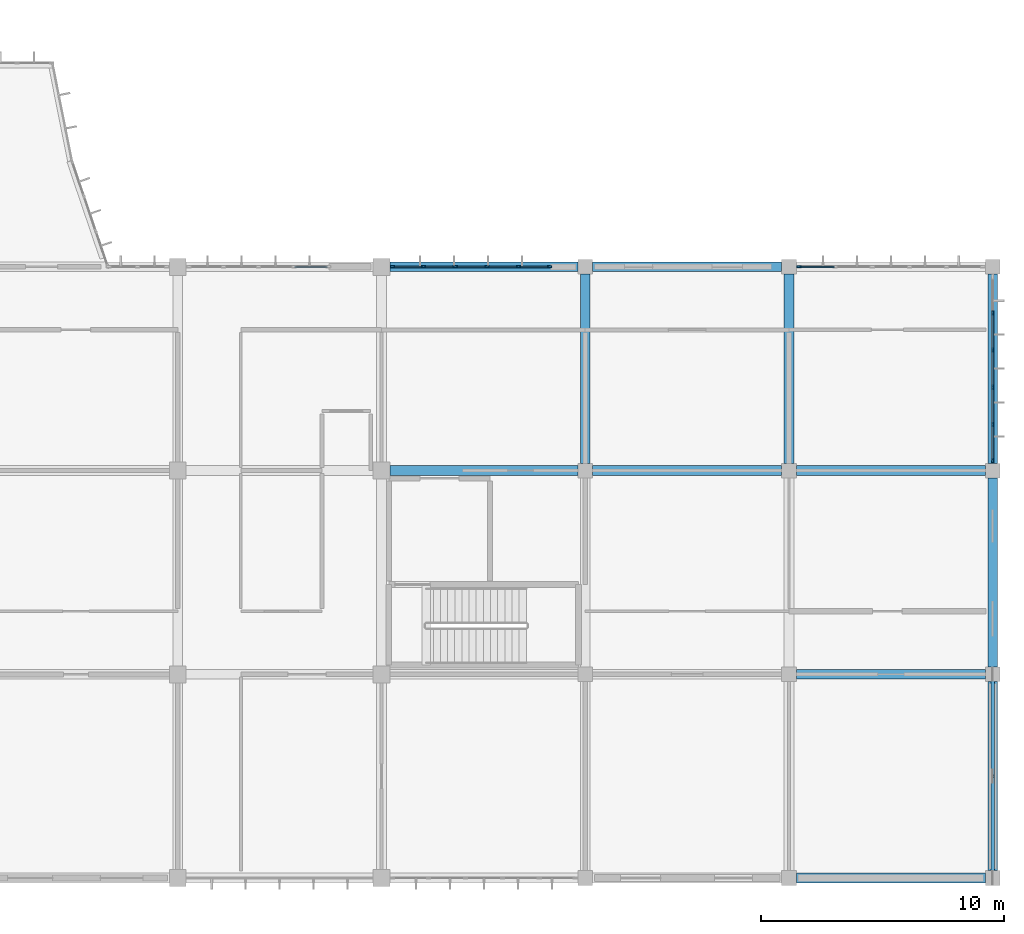
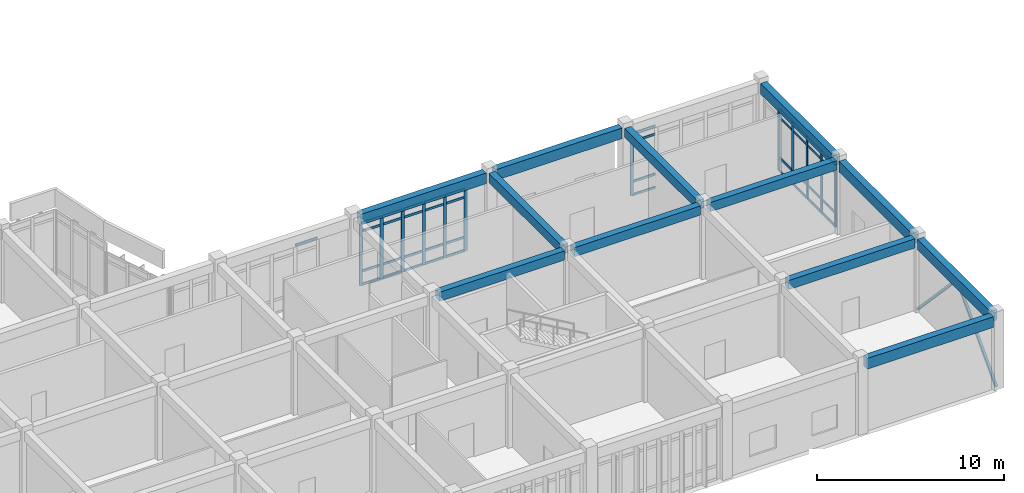
# One storey, part 57 of 134: 55 members, 12 beams, 4 elements without a shape of their own.
"""IFC4 building model written with IfcOpenShell, lengths in metres."""

from ifc_helpers import new_model, si_unit, direction, frame, origin, origin_2d, place, context, subcontext, project, spatial, rectangle, hollow_rectangle, extrude, material, layer, layer_set, material_profile, profile_set, type_object, element, aggregate, save


model = new_model("IFC4")

# Units and contexts
model_context = context("Model", 3, precision=1e-05, world=origin(), true_north=direction((0.0, 1.0)))
body_context = subcontext(model_context, "Body", "Model", "MODEL_VIEW")
ifc_project = project(units=[si_unit("LENGTHUNIT", "METRE"), si_unit("AREAUNIT", "SQUARE_METRE"), si_unit("VOLUMEUNIT", "CUBIC_METRE"), si_unit("PLANEANGLEUNIT", "RADIAN"), si_unit("MASSUNIT", "GRAM", prefix="KILO")], contexts=[model_context])

# Site, building, storey
site_placement = place(None, origin())
site = spatial("IfcSite", under=ifc_project, at=site_placement, CompositionType="ELEMENT")
building_placement = place(site_placement, origin())
building = spatial("IfcBuilding", under=site, at=building_placement, Name="Bramfleet General Hospital", CompositionType="ELEMENT")
storey_placement = place(building_placement, frame((0.0, 0.0, 9.300048828125)))
storey = spatial("IfcBuildingStorey", under=building, at=storey_placement, Name="L02", CompositionType="ELEMENT", Elevation=9.300048828125)

# Beams
ifc_material_1 = material(Name="Concrete C35/45", Category="concrete")
ifc_material_profile_1 = material_profile(ifc_material_1, rectangle(XDim=0.39990234375, YDim=0.60009765625, at=origin_2d()), Name="RC BM 600x400")
ifc_profile_set_1 = profile_set([ifc_material_profile_1], Name="Concrete C35/45")
beam_type_1 = type_object("IfcBeamType", Name="BM-RC600", PredefinedType="BEAM", material=ifc_profile_set_1)
beam_1_placement = place(storey_placement, frame((143.14990234375, 16.800048828125, 4.47998046875), z_axis=(1.0, 0.0, 0.0), x_axis=(0.0, 1.0, 0.0)))
element("IfcBeam", 1, at=beam_1_placement, inside=storey, type_object=beam_type_1, Name="L02 Grid Beam X 17-02", PredefinedType="BEAM", context=body_context, shape_type="SweptSolid", body=[
    extrude(rectangle(XDim=0.39990234375, YDim=0.60009765625, at=origin_2d()), origin(), (0.0, 0.0, 1.0), 7.75),
])
for number, where, z_axis, x_axis, name in (
    (2, (151.5, 16.800048828125, 4.47998046875), (1.0, 0.0, 0.0), (0.0, 1.0, 0.0), "L02 Grid Beam X 18-02"),
    (3, (159.89990234375, 8.39990234375, 4.47998046875), (1.0, 0.0, 0.0), (0.0, 1.0, 0.0), "L02 Grid Beam X 19-01"),
    (4, (159.89990234375, 16.800048828125, 4.47998046875), (1.0, 0.0, 0.0), (0.0, 1.0, 0.0), "L02 Grid Beam X 19-02"),
):
    element("IfcBeam", number, at=place(storey_placement, frame(where, z_axis=z_axis, x_axis=x_axis)), inside=storey, type_object=beam_type_1, Name=name, PredefinedType="BEAM", context=body_context, shape_type="SweptSolid", body=[
        extrude(rectangle(XDim=0.39990234375, YDim=0.60009765625, at=origin_2d()), origin(), (0.0, 0.0, 1.0), 7.800048828125),
    ])
for number, where, z_axis, x_axis, name in (
    (5, (151.199951171875, 17.10009765625, 4.47998046875), (0.0, 1.0, 0.0), (-1.0, 0.0, 0.0), "L02 Grid Beam Y 18-02"),
    (6, (159.60009765625, 17.10009765625, 4.47998046875), (0.0, 1.0, 0.0), (-1.0, 0.0, 0.0), "L02 Grid Beam Y 19-02"),
):
    element("IfcBeam", number, at=place(storey_placement, frame(where, z_axis=z_axis, x_axis=x_axis)), inside=storey, type_object=beam_type_1, Name=name, PredefinedType="BEAM", context=body_context, shape_type="SweptSolid", body=[
        extrude(rectangle(XDim=0.39990234375, YDim=0.60009765625, at=origin_2d()), origin(), (0.0, 0.0, 1.0), 7.7998046875),
    ])
ifc_material_profile_2 = material_profile(ifc_material_1, rectangle(XDim=0.39990234375, YDim=0.699951171875, at=origin_2d()), Name="RC SP 700x400")
ifc_profile_set_2 = profile_set([ifc_material_profile_2], Name="Concrete C35/45")
beam_type_2 = type_object("IfcBeamType", Name="BM-SP700", PredefinedType="SPANDREL", material=ifc_profile_set_2)
beam_2_placement = place(storey_placement, frame((143.14990234375, 25.199951171875, 4.429931640625), z_axis=(1.0, 0.0, 0.0), x_axis=(0.0, 1.0, 0.0)))
element("IfcBeam", 7, at=beam_2_placement, inside=storey, type_object=beam_type_2, Name="L02 Grid Beam X 17-03", PredefinedType="SPANDREL", context=body_context, shape_type="SweptSolid", body=[
    extrude(rectangle(XDim=0.39990234375, YDim=0.699951171875, at=origin_2d()), origin(), (0.0, 0.0, 1.0), 7.75),
])
for number, where, z_axis, x_axis, name in (
    (8, (151.5, 25.199951171875, 4.429931640625), (1.0, 0.0, 0.0), (0.0, 1.0, 0.0), "L02 Grid Beam X 18-03"),
    (9, (159.89990234375, 0.0, 4.429931640625), (1.0, 0.0, 0.0), (0.0, 1.0, 0.0), "L02 Grid Beam X 19-00"),
    (10, (168.0, 0.300048828125, 4.429931640625), (0.0, 1.0, 0.0), (-1.0, 0.0, 0.0), "L02 Grid Beam Y 20-00"),
    (11, (168.0, 8.699951171875, 4.429931640625), (0.0, 1.0, 0.0), (-1.0, 0.0, 0.0), "L02 Grid Beam Y 20-01"),
):
    element("IfcBeam", number, at=place(storey_placement, frame(where, z_axis=z_axis, x_axis=x_axis)), inside=storey, type_object=beam_type_2, Name=name, PredefinedType="SPANDREL", context=body_context, shape_type="SweptSolid", body=[
        extrude(rectangle(XDim=0.39990234375, YDim=0.699951171875, at=origin_2d()), origin(), (0.0, 0.0, 1.0), 7.800048828125),
    ])
beam_3_placement = place(storey_placement, frame((168.0, 17.10009765625, 4.429931640625), z_axis=(0.0, 1.0, 0.0), x_axis=(-1.0, 0.0, 0.0)))
element("IfcBeam", 12, at=beam_3_placement, inside=storey, type_object=beam_type_2, Name="L02 Grid Beam Y 20-02", PredefinedType="SPANDREL", context=body_context, shape_type="SweptSolid", body=[
    extrude(rectangle(XDim=0.39990234375, YDim=0.699951171875, at=origin_2d()), origin(), (0.0, 0.0, 1.0), 7.7998046875),
])

# Curtain wall, members
ifc_material_2 = material(Name="Anodised aluminium and low-E triple glazing", Category="aluminium")
ifc_layer_1 = layer(ifc_material_2, 0.179931640625, Name="CWT-CW-12")
ifc_layer_set_1 = layer_set([ifc_layer_1], Name="Anodised aluminium and low-E triple glazing")
curtain_wall_type_1 = type_object("IfcCurtainWallType", Name="CWT-CW-12", PredefinedType="USERDEFINED", material=ifc_layer_set_1)
curtain_wall_1_placement = place(storey_placement, origin())
curtain_wall_1 = element("IfcCurtainWall", 13, at=curtain_wall_1_placement, inside=storey, type_object=curtain_wall_type_1, Name="L02 Curtain Wall 120", ObjectType="Stick curtain wall", PredefinedType="USERDEFINED")
ifc_material_3 = material(Name="Structural timber GL28h", Category="wood")
ifc_material_profile_3 = material_profile(ifc_material_3, rectangle(XDim=0.070068359375, YDim=0.18994140625, at=origin_2d()), Name="LARCH 190x70")
ifc_profile_set_3 = profile_set([ifc_material_profile_3], Name="Structural timber GL28h")
member_type_1 = type_object("IfcMemberType", Name="CWM-LARCH450", PredefinedType="MULLION", material=ifc_profile_set_3)
member_1_placement = place(storey_placement, frame((143.260009765625, 25.199951171875, 0.0), z_axis=(0.0, 0.0, 1.0), x_axis=(0.0, 1.0, 0.0)))
member_1 = element("IfcMember", 14, at=member_1_placement, type_object=member_type_1, Name="CW-12 mullion 1", PredefinedType="MULLION", context=body_context, shape_type="SweptSolid", body=[
    extrude(rectangle(XDim=0.070068359375, YDim=0.18994140625, at=origin_2d()), origin(), (0.0, 0.0, 1.0), 4.070068359375),
])
member_2_placement = place(storey_placement, frame((144.5322265625, 25.199951171875, 0.0), z_axis=(0.0, 0.0, 1.0), x_axis=(0.0, 1.0, 0.0)))
member_2 = element("IfcMember", 15, at=member_2_placement, type_object=member_type_1, Name="CW-12 mullion 2", PredefinedType="MULLION", context=body_context, shape_type="SweptSolid", body=[
    extrude(rectangle(XDim=0.070068359375, YDim=0.18994140625, at=origin_2d()), origin(), (0.0, 0.0, 1.0), 4.070068359375),
])
member_3_placement = place(storey_placement, frame((145.83935546875, 25.199951171875, 0.0), z_axis=(0.0, 0.0, 1.0), x_axis=(0.0, 1.0, 0.0)))
member_3 = element("IfcMember", 16, at=member_3_placement, type_object=member_type_1, Name="CW-12 mullion 3", PredefinedType="MULLION", context=body_context, shape_type="SweptSolid", body=[
    extrude(rectangle(XDim=0.070068359375, YDim=0.18994140625, at=origin_2d()), origin(), (0.0, 0.0, 1.0), 4.070068359375),
])
member_4_placement = place(storey_placement, frame((147.146484375, 25.199951171875, 0.0), z_axis=(0.0, 0.0, 1.0), x_axis=(0.0, 1.0, 0.0)))
member_4 = element("IfcMember", 17, at=member_4_placement, type_object=member_type_1, Name="CW-12 mullion 4", PredefinedType="MULLION", context=body_context, shape_type="SweptSolid", body=[
    extrude(rectangle(XDim=0.070068359375, YDim=0.18994140625, at=origin_2d()), origin(), (0.0, 0.0, 1.0), 4.070068359375),
])
member_5_placement = place(storey_placement, frame((148.453857421875, 25.199951171875, 0.0), z_axis=(0.0, 0.0, 1.0), x_axis=(0.0, 1.0, 0.0)))
member_5 = element("IfcMember", 18, at=member_5_placement, type_object=member_type_1, Name="CW-12 mullion 5", PredefinedType="MULLION", context=body_context, shape_type="SweptSolid", body=[
    extrude(rectangle(XDim=0.070068359375, YDim=0.18994140625, at=origin_2d()), origin(), (0.0, 0.0, 1.0), 4.070068359375),
])
member_6_placement = place(storey_placement, frame((149.72607421875, 25.199951171875, 0.0), z_axis=(0.0, 0.0, 1.0), x_axis=(0.0, 1.0, 0.0)))
member_6 = element("IfcMember", 19, at=member_6_placement, type_object=member_type_1, Name="CW-12 mullion 6", PredefinedType="MULLION", context=body_context, shape_type="SweptSolid", body=[
    extrude(rectangle(XDim=0.070068359375, YDim=0.18994140625, at=origin_2d()), origin(), (0.0, 0.0, 1.0), 4.070068359375),
])

# Curtain wall, member
ifc_layer_2 = layer(ifc_material_2, 0.179931640625, Name="CWT-CW-13")
ifc_layer_set_2 = layer_set([ifc_layer_2], Name="Anodised aluminium and low-E triple glazing")
curtain_wall_type_2 = type_object("IfcCurtainWallType", Name="CWT-CW-13", PredefinedType="USERDEFINED", material=ifc_layer_set_2)
curtain_wall_2_placement = place(storey_placement, origin())
curtain_wall_2 = element("IfcCurtainWall", 20, at=curtain_wall_2_placement, inside=storey, type_object=curtain_wall_type_2, Name="L02 Curtain Wall 121", ObjectType="Stick curtain wall", PredefinedType="USERDEFINED")
member_7_placement = place(storey_placement, frame((160.010009765625, 25.199951171875, 0.0), z_axis=(0.0, 0.0, 1.0), x_axis=(0.0, 1.0, 0.0)))
member_7 = element("IfcMember", 21, at=member_7_placement, type_object=member_type_1, Name="CW-13 mullion 1", PredefinedType="MULLION", context=body_context, shape_type="SweptSolid", body=[
    extrude(rectangle(XDim=0.070068359375, YDim=0.18994140625, at=origin_2d()), origin(), (0.0, 0.0, 1.0), 4.070068359375),
])

# Curtain wall, members
ifc_layer_3 = layer(ifc_material_2, 0.179931640625, Name="CWT-CW-14")
ifc_layer_set_3 = layer_set([ifc_layer_3], Name="Anodised aluminium and low-E triple glazing")
curtain_wall_type_3 = type_object("IfcCurtainWallType", Name="CWT-CW-14", PredefinedType="USERDEFINED", material=ifc_layer_set_3)
curtain_wall_3_placement = place(storey_placement, origin())
curtain_wall_3 = element("IfcCurtainWall", 22, at=curtain_wall_3_placement, inside=storey, type_object=curtain_wall_type_3, Name="L02 Curtain Wall 122", ObjectType="Stick curtain wall", PredefinedType="USERDEFINED")
member_8_placement = place(storey_placement, frame((168.0, 23.294921875, 0.0), z_axis=(0.0, 0.0, 1.0), x_axis=(1.0, 0.0, 0.0)))
member_8 = element("IfcMember", 23, at=member_8_placement, type_object=member_type_1, Name="CW-14 mullion 2", PredefinedType="MULLION", context=body_context, shape_type="SweptSolid", body=[
    extrude(rectangle(XDim=0.070068359375, YDim=0.18994140625, at=origin_2d()), origin(), (0.0, 0.0, 1.0), 4.070068359375),
])
member_9_placement = place(storey_placement, frame((168.0, 21.764892578125, 0.0), z_axis=(0.0, 0.0, 1.0), x_axis=(1.0, 0.0, 0.0)))
member_9 = element("IfcMember", 24, at=member_9_placement, type_object=member_type_1, Name="CW-14 mullion 3", PredefinedType="MULLION", context=body_context, shape_type="SweptSolid", body=[
    extrude(rectangle(XDim=0.070068359375, YDim=0.18994140625, at=origin_2d()), origin(), (0.0, 0.0, 1.0), 4.070068359375),
])
member_10_placement = place(storey_placement, frame((168.0, 20.235107421875, 0.0), z_axis=(0.0, 0.0, 1.0), x_axis=(1.0, 0.0, 0.0)))
member_10 = element("IfcMember", 25, at=member_10_placement, type_object=member_type_1, Name="CW-14 mullion 4", PredefinedType="MULLION", context=body_context, shape_type="SweptSolid", body=[
    extrude(rectangle(XDim=0.070068359375, YDim=0.18994140625, at=origin_2d()), origin(), (0.0, 0.0, 1.0), 4.070068359375),
])
member_11_placement = place(storey_placement, frame((168.0, 18.705078125, 0.0), z_axis=(0.0, 0.0, 1.0), x_axis=(1.0, 0.0, 0.0)))
member_11 = element("IfcMember", 26, at=member_11_placement, type_object=member_type_1, Name="CW-14 mullion 5", PredefinedType="MULLION", context=body_context, shape_type="SweptSolid", body=[
    extrude(rectangle(XDim=0.070068359375, YDim=0.18994140625, at=origin_2d()), origin(), (0.0, 0.0, 1.0), 4.070068359375),
])
member_12_placement = place(storey_placement, frame((168.0, 17.2099609375, 0.0), z_axis=(0.0, 0.0, 1.0), x_axis=(1.0, 0.0, 0.0)))
member_12 = element("IfcMember", 27, at=member_12_placement, type_object=member_type_1, Name="CW-14 mullion 6", PredefinedType="MULLION", context=body_context, shape_type="SweptSolid", body=[
    extrude(rectangle(XDim=0.070068359375, YDim=0.18994140625, at=origin_2d()), origin(), (0.0, 0.0, 1.0), 4.070068359375),
])

# Curtain wall, member
ifc_layer_4 = layer(ifc_material_2, 0.179931640625, Name="CWT-CW-11")
ifc_layer_set_4 = layer_set([ifc_layer_4], Name="Anodised aluminium and low-E triple glazing")
curtain_wall_type_4 = type_object("IfcCurtainWallType", Name="CWT-CW-11", PredefinedType="USERDEFINED", material=ifc_layer_set_4)
curtain_wall_4_placement = place(storey_placement, origin())
curtain_wall_4 = element("IfcCurtainWall", 28, at=curtain_wall_4_placement, inside=storey, type_object=curtain_wall_type_4, Name="L02 Curtain Wall 119", ObjectType="Stick curtain wall", PredefinedType="USERDEFINED")
ifc_material_profile_4 = material_profile(ifc_material_3, rectangle(XDim=0.06494140625, YDim=0.14990234375, at=origin_2d()), Name="LARCH 150x65")
ifc_profile_set_4 = profile_set([ifc_material_profile_4], Name="Structural timber GL28h")
member_type_2 = type_object("IfcMemberType", Name="CWT-LARCH220", PredefinedType="USERDEFINED", material=ifc_profile_set_4)
member_13_placement = place(storey_placement, frame((139.221923828125, 25.199951171875, 4.037353515625), z_axis=(1.0, 0.0, 0.0), x_axis=(0.0, 1.0, 0.0)))
member_13 = element("IfcMember", 29, at=member_13_placement, type_object=member_type_2, Name="CW-11 transom 4.4", ObjectType="TRANSOM", PredefinedType="USERDEFINED", context=body_context, shape_type="SweptSolid", body=[
    extrude(rectangle(XDim=0.06494140625, YDim=0.14990234375, at=origin_2d()), origin(), (0.0, 0.0, 1.0), 1.34912109375),
])
aggregate(curtain_wall_4, [member_13])

# Member
member_14_placement = place(storey_placement, frame((143.294921875, 25.199951171875, 0.032470703125), z_axis=(1.0, 0.0, 0.0), x_axis=(0.0, 1.0, 0.0)))
member_14 = element("IfcMember", 30, at=member_14_placement, type_object=member_type_2, Name="CW-12 transom 1.1", ObjectType="TRANSOM", PredefinedType="USERDEFINED", context=body_context, shape_type="SweptSolid", body=[
    extrude(rectangle(XDim=0.06494140625, YDim=0.14990234375, at=origin_2d()), origin(), (0.0, 0.0, 1.0), 1.202392578125),
])

member_15_placement = place(storey_placement, frame((143.294921875, 25.199951171875, 0.89990234375), z_axis=(1.0, 0.0, 0.0), x_axis=(0.0, 1.0, 0.0)))
member_15 = element("IfcMember", 31, at=member_15_placement, type_object=member_type_2, Name="CW-12 transom 1.2", ObjectType="TRANSOM", PredefinedType="USERDEFINED", context=body_context, shape_type="SweptSolid", body=[
    extrude(rectangle(XDim=0.06494140625, YDim=0.14990234375, at=origin_2d()), origin(), (0.0, 0.0, 1.0), 1.202392578125),
])

member_16_placement = place(storey_placement, frame((143.294921875, 25.199951171875, 3.52001953125), z_axis=(1.0, 0.0, 0.0), x_axis=(0.0, 1.0, 0.0)))
member_16 = element("IfcMember", 32, at=member_16_placement, type_object=member_type_2, Name="CW-12 transom 1.3", ObjectType="TRANSOM", PredefinedType="USERDEFINED", context=body_context, shape_type="SweptSolid", body=[
    extrude(rectangle(XDim=0.06494140625, YDim=0.14990234375, at=origin_2d()), origin(), (0.0, 0.0, 1.0), 1.202392578125),
])

member_17_placement = place(storey_placement, frame((143.294921875, 25.199951171875, 4.037353515625), z_axis=(1.0, 0.0, 0.0), x_axis=(0.0, 1.0, 0.0)))
member_17 = element("IfcMember", 33, at=member_17_placement, type_object=member_type_2, Name="CW-12 transom 1.4", ObjectType="TRANSOM", PredefinedType="USERDEFINED", context=body_context, shape_type="SweptSolid", body=[
    extrude(rectangle(XDim=0.06494140625, YDim=0.14990234375, at=origin_2d()), origin(), (0.0, 0.0, 1.0), 1.202392578125),
])

member_18_placement = place(storey_placement, frame((144.567138671875, 25.199951171875, 0.032470703125), z_axis=(1.0, 0.0, 0.0), x_axis=(0.0, 1.0, 0.0)))
member_18 = element("IfcMember", 34, at=member_18_placement, type_object=member_type_2, Name="CW-12 transom 2.1", ObjectType="TRANSOM", PredefinedType="USERDEFINED", context=body_context, shape_type="SweptSolid", body=[
    extrude(rectangle(XDim=0.06494140625, YDim=0.14990234375, at=origin_2d()), origin(), (0.0, 0.0, 1.0), 1.2373046875),
])

member_19_placement = place(storey_placement, frame((144.567138671875, 25.199951171875, 0.89990234375), z_axis=(1.0, 0.0, 0.0), x_axis=(0.0, 1.0, 0.0)))
member_19 = element("IfcMember", 35, at=member_19_placement, type_object=member_type_2, Name="CW-12 transom 2.2", ObjectType="TRANSOM", PredefinedType="USERDEFINED", context=body_context, shape_type="SweptSolid", body=[
    extrude(rectangle(XDim=0.06494140625, YDim=0.14990234375, at=origin_2d()), origin(), (0.0, 0.0, 1.0), 1.2373046875),
])

member_20_placement = place(storey_placement, frame((144.567138671875, 25.199951171875, 3.52001953125), z_axis=(1.0, 0.0, 0.0), x_axis=(0.0, 1.0, 0.0)))
member_20 = element("IfcMember", 36, at=member_20_placement, type_object=member_type_2, Name="CW-12 transom 2.3", ObjectType="TRANSOM", PredefinedType="USERDEFINED", context=body_context, shape_type="SweptSolid", body=[
    extrude(rectangle(XDim=0.06494140625, YDim=0.14990234375, at=origin_2d()), origin(), (0.0, 0.0, 1.0), 1.2373046875),
])

member_21_placement = place(storey_placement, frame((144.567138671875, 25.199951171875, 4.037353515625), z_axis=(1.0, 0.0, 0.0), x_axis=(0.0, 1.0, 0.0)))
member_21 = element("IfcMember", 37, at=member_21_placement, type_object=member_type_2, Name="CW-12 transom 2.4", ObjectType="TRANSOM", PredefinedType="USERDEFINED", context=body_context, shape_type="SweptSolid", body=[
    extrude(rectangle(XDim=0.06494140625, YDim=0.14990234375, at=origin_2d()), origin(), (0.0, 0.0, 1.0), 1.2373046875),
])

member_22_placement = place(storey_placement, frame((145.87451171875, 25.199951171875, 0.032470703125), z_axis=(1.0, 0.0, 0.0), x_axis=(0.0, 1.0, 0.0)))
member_22 = element("IfcMember", 38, at=member_22_placement, type_object=member_type_2, Name="CW-12 transom 3.1", ObjectType="TRANSOM", PredefinedType="USERDEFINED", context=body_context, shape_type="SweptSolid", body=[
    extrude(rectangle(XDim=0.06494140625, YDim=0.14990234375, at=origin_2d()), origin(), (0.0, 0.0, 1.0), 1.237060546875),
])

member_23_placement = place(storey_placement, frame((145.87451171875, 25.199951171875, 0.89990234375), z_axis=(1.0, 0.0, 0.0), x_axis=(0.0, 1.0, 0.0)))
member_23 = element("IfcMember", 39, at=member_23_placement, type_object=member_type_2, Name="CW-12 transom 3.2", ObjectType="TRANSOM", PredefinedType="USERDEFINED", context=body_context, shape_type="SweptSolid", body=[
    extrude(rectangle(XDim=0.06494140625, YDim=0.14990234375, at=origin_2d()), origin(), (0.0, 0.0, 1.0), 1.237060546875),
])

member_24_placement = place(storey_placement, frame((145.87451171875, 25.199951171875, 3.52001953125), z_axis=(1.0, 0.0, 0.0), x_axis=(0.0, 1.0, 0.0)))
member_24 = element("IfcMember", 40, at=member_24_placement, type_object=member_type_2, Name="CW-12 transom 3.3", ObjectType="TRANSOM", PredefinedType="USERDEFINED", context=body_context, shape_type="SweptSolid", body=[
    extrude(rectangle(XDim=0.06494140625, YDim=0.14990234375, at=origin_2d()), origin(), (0.0, 0.0, 1.0), 1.237060546875),
])

member_25_placement = place(storey_placement, frame((145.87451171875, 25.199951171875, 4.037353515625), z_axis=(1.0, 0.0, 0.0), x_axis=(0.0, 1.0, 0.0)))
member_25 = element("IfcMember", 41, at=member_25_placement, type_object=member_type_2, Name="CW-12 transom 3.4", ObjectType="TRANSOM", PredefinedType="USERDEFINED", context=body_context, shape_type="SweptSolid", body=[
    extrude(rectangle(XDim=0.06494140625, YDim=0.14990234375, at=origin_2d()), origin(), (0.0, 0.0, 1.0), 1.237060546875),
])

member_26_placement = place(storey_placement, frame((147.181640625, 25.199951171875, 0.032470703125), z_axis=(1.0, 0.0, 0.0), x_axis=(0.0, 1.0, 0.0)))
member_26 = element("IfcMember", 42, at=member_26_placement, type_object=member_type_2, Name="CW-12 transom 4.1", ObjectType="TRANSOM", PredefinedType="USERDEFINED", context=body_context, shape_type="SweptSolid", body=[
    extrude(rectangle(XDim=0.06494140625, YDim=0.14990234375, at=origin_2d()), origin(), (0.0, 0.0, 1.0), 1.237060546875),
])

member_27_placement = place(storey_placement, frame((147.181640625, 25.199951171875, 0.89990234375), z_axis=(1.0, 0.0, 0.0), x_axis=(0.0, 1.0, 0.0)))
member_27 = element("IfcMember", 43, at=member_27_placement, type_object=member_type_2, Name="CW-12 transom 4.2", ObjectType="TRANSOM", PredefinedType="USERDEFINED", context=body_context, shape_type="SweptSolid", body=[
    extrude(rectangle(XDim=0.06494140625, YDim=0.14990234375, at=origin_2d()), origin(), (0.0, 0.0, 1.0), 1.237060546875),
])

member_28_placement = place(storey_placement, frame((147.181640625, 25.199951171875, 3.52001953125), z_axis=(1.0, 0.0, 0.0), x_axis=(0.0, 1.0, 0.0)))
member_28 = element("IfcMember", 44, at=member_28_placement, type_object=member_type_2, Name="CW-12 transom 4.3", ObjectType="TRANSOM", PredefinedType="USERDEFINED", context=body_context, shape_type="SweptSolid", body=[
    extrude(rectangle(XDim=0.06494140625, YDim=0.14990234375, at=origin_2d()), origin(), (0.0, 0.0, 1.0), 1.237060546875),
])

member_29_placement = place(storey_placement, frame((147.181640625, 25.199951171875, 4.037353515625), z_axis=(1.0, 0.0, 0.0), x_axis=(0.0, 1.0, 0.0)))
member_29 = element("IfcMember", 45, at=member_29_placement, type_object=member_type_2, Name="CW-12 transom 4.4", ObjectType="TRANSOM", PredefinedType="USERDEFINED", context=body_context, shape_type="SweptSolid", body=[
    extrude(rectangle(XDim=0.06494140625, YDim=0.14990234375, at=origin_2d()), origin(), (0.0, 0.0, 1.0), 1.237060546875),
])

member_30_placement = place(storey_placement, frame((148.48876953125, 25.199951171875, 0.032470703125), z_axis=(1.0, 0.0, 0.0), x_axis=(0.0, 1.0, 0.0)))
member_30 = element("IfcMember", 46, at=member_30_placement, type_object=member_type_2, Name="CW-12 transom 5.1", ObjectType="TRANSOM", PredefinedType="USERDEFINED", context=body_context, shape_type="SweptSolid", body=[
    extrude(rectangle(XDim=0.06494140625, YDim=0.14990234375, at=origin_2d()), origin(), (0.0, 0.0, 1.0), 1.2021484375),
])

member_31_placement = place(storey_placement, frame((148.48876953125, 25.199951171875, 0.89990234375), z_axis=(1.0, 0.0, 0.0), x_axis=(0.0, 1.0, 0.0)))
member_31 = element("IfcMember", 47, at=member_31_placement, type_object=member_type_2, Name="CW-12 transom 5.2", ObjectType="TRANSOM", PredefinedType="USERDEFINED", context=body_context, shape_type="SweptSolid", body=[
    extrude(rectangle(XDim=0.06494140625, YDim=0.14990234375, at=origin_2d()), origin(), (0.0, 0.0, 1.0), 1.2021484375),
])

member_32_placement = place(storey_placement, frame((148.48876953125, 25.199951171875, 3.52001953125), z_axis=(1.0, 0.0, 0.0), x_axis=(0.0, 1.0, 0.0)))
member_32 = element("IfcMember", 48, at=member_32_placement, type_object=member_type_2, Name="CW-12 transom 5.3", ObjectType="TRANSOM", PredefinedType="USERDEFINED", context=body_context, shape_type="SweptSolid", body=[
    extrude(rectangle(XDim=0.06494140625, YDim=0.14990234375, at=origin_2d()), origin(), (0.0, 0.0, 1.0), 1.2021484375),
])

member_33_placement = place(storey_placement, frame((148.48876953125, 25.199951171875, 4.037353515625), z_axis=(1.0, 0.0, 0.0), x_axis=(0.0, 1.0, 0.0)))
member_33 = element("IfcMember", 49, at=member_33_placement, type_object=member_type_2, Name="CW-12 transom 5.4", ObjectType="TRANSOM", PredefinedType="USERDEFINED", context=body_context, shape_type="SweptSolid", body=[
    extrude(rectangle(XDim=0.06494140625, YDim=0.14990234375, at=origin_2d()), origin(), (0.0, 0.0, 1.0), 1.2021484375),
])

aggregate(curtain_wall_1, [member_1, member_2, member_3, member_4, member_5, member_6, member_14, member_15, member_16, member_17, member_18, member_19, member_20, member_21, member_22, member_23, member_24, member_25, member_26, member_27, member_28, member_29, member_30, member_31, member_32, member_33])

member_34_placement = place(storey_placement, frame((160.044921875, 25.199951171875, 0.032470703125), z_axis=(1.0, 0.0, 0.0), x_axis=(0.0, 1.0, 0.0)))
member_34 = element("IfcMember", 50, at=member_34_placement, type_object=member_type_2, Name="CW-13 transom 1.1", ObjectType="TRANSOM", PredefinedType="USERDEFINED", context=body_context, shape_type="SweptSolid", body=[
    extrude(rectangle(XDim=0.06494140625, YDim=0.14990234375, at=origin_2d()), origin(), (0.0, 0.0, 1.0), 1.425048828125),
])

member_35_placement = place(storey_placement, frame((160.044921875, 25.199951171875, 0.89990234375), z_axis=(1.0, 0.0, 0.0), x_axis=(0.0, 1.0, 0.0)))
member_35 = element("IfcMember", 51, at=member_35_placement, type_object=member_type_2, Name="CW-13 transom 1.2", ObjectType="TRANSOM", PredefinedType="USERDEFINED", context=body_context, shape_type="SweptSolid", body=[
    extrude(rectangle(XDim=0.06494140625, YDim=0.14990234375, at=origin_2d()), origin(), (0.0, 0.0, 1.0), 1.425048828125),
])

member_36_placement = place(storey_placement, frame((160.044921875, 25.199951171875, 3.52001953125), z_axis=(1.0, 0.0, 0.0), x_axis=(0.0, 1.0, 0.0)))
member_36 = element("IfcMember", 52, at=member_36_placement, type_object=member_type_2, Name="CW-13 transom 1.3", ObjectType="TRANSOM", PredefinedType="USERDEFINED", context=body_context, shape_type="SweptSolid", body=[
    extrude(rectangle(XDim=0.06494140625, YDim=0.14990234375, at=origin_2d()), origin(), (0.0, 0.0, 1.0), 1.425048828125),
])

member_37_placement = place(storey_placement, frame((160.044921875, 25.199951171875, 4.037353515625), z_axis=(1.0, 0.0, 0.0), x_axis=(0.0, 1.0, 0.0)))
member_37 = element("IfcMember", 53, at=member_37_placement, type_object=member_type_2, Name="CW-13 transom 1.4", ObjectType="TRANSOM", PredefinedType="USERDEFINED", context=body_context, shape_type="SweptSolid", body=[
    extrude(rectangle(XDim=0.06494140625, YDim=0.14990234375, at=origin_2d()), origin(), (0.0, 0.0, 1.0), 1.425048828125),
])

aggregate(curtain_wall_2, [member_7, member_34, member_35, member_36, member_37])

member_38_placement = place(storey_placement, frame((168.0, 23.260009765625, 0.032470703125), z_axis=(0.0, -1.0, 0.0), x_axis=(1.0, 0.0, 0.0)))
member_38 = element("IfcMember", 54, at=member_38_placement, type_object=member_type_2, Name="CW-14 transom 2.1", ObjectType="TRANSOM", PredefinedType="USERDEFINED", context=body_context, shape_type="SweptSolid", body=[
    extrude(rectangle(XDim=0.06494140625, YDim=0.14990234375, at=origin_2d()), origin(), (0.0, 0.0, 1.0), 1.4599609375),
])

member_39_placement = place(storey_placement, frame((168.0, 23.260009765625, 0.89990234375), z_axis=(0.0, -1.0, 0.0), x_axis=(1.0, 0.0, 0.0)))
member_39 = element("IfcMember", 55, at=member_39_placement, type_object=member_type_2, Name="CW-14 transom 2.2", ObjectType="TRANSOM", PredefinedType="USERDEFINED", context=body_context, shape_type="SweptSolid", body=[
    extrude(rectangle(XDim=0.06494140625, YDim=0.14990234375, at=origin_2d()), origin(), (0.0, 0.0, 1.0), 1.4599609375),
])

member_40_placement = place(storey_placement, frame((168.0, 23.260009765625, 3.52001953125), z_axis=(0.0, -1.0, 0.0), x_axis=(1.0, 0.0, 0.0)))
member_40 = element("IfcMember", 56, at=member_40_placement, type_object=member_type_2, Name="CW-14 transom 2.3", ObjectType="TRANSOM", PredefinedType="USERDEFINED", context=body_context, shape_type="SweptSolid", body=[
    extrude(rectangle(XDim=0.06494140625, YDim=0.14990234375, at=origin_2d()), origin(), (0.0, 0.0, 1.0), 1.4599609375),
])

member_41_placement = place(storey_placement, frame((168.0, 23.260009765625, 4.037353515625), z_axis=(0.0, -1.0, 0.0), x_axis=(1.0, 0.0, 0.0)))
member_41 = element("IfcMember", 57, at=member_41_placement, type_object=member_type_2, Name="CW-14 transom 2.4", ObjectType="TRANSOM", PredefinedType="USERDEFINED", context=body_context, shape_type="SweptSolid", body=[
    extrude(rectangle(XDim=0.06494140625, YDim=0.14990234375, at=origin_2d()), origin(), (0.0, 0.0, 1.0), 1.4599609375),
])

member_42_placement = place(storey_placement, frame((168.0, 21.72998046875, 0.032470703125), z_axis=(0.0, -1.0, 0.0), x_axis=(1.0, 0.0, 0.0)))
member_42 = element("IfcMember", 58, at=member_42_placement, type_object=member_type_2, Name="CW-14 transom 3.1", ObjectType="TRANSOM", PredefinedType="USERDEFINED", context=body_context, shape_type="SweptSolid", body=[
    extrude(rectangle(XDim=0.06494140625, YDim=0.14990234375, at=origin_2d()), origin(), (0.0, 0.0, 1.0), 1.4599609375),
])

member_43_placement = place(storey_placement, frame((168.0, 21.72998046875, 0.89990234375), z_axis=(0.0, -1.0, 0.0), x_axis=(1.0, 0.0, 0.0)))
member_43 = element("IfcMember", 59, at=member_43_placement, type_object=member_type_2, Name="CW-14 transom 3.2", ObjectType="TRANSOM", PredefinedType="USERDEFINED", context=body_context, shape_type="SweptSolid", body=[
    extrude(rectangle(XDim=0.06494140625, YDim=0.14990234375, at=origin_2d()), origin(), (0.0, 0.0, 1.0), 1.4599609375),
])

member_44_placement = place(storey_placement, frame((168.0, 21.72998046875, 3.52001953125), z_axis=(0.0, -1.0, 0.0), x_axis=(1.0, 0.0, 0.0)))
member_44 = element("IfcMember", 60, at=member_44_placement, type_object=member_type_2, Name="CW-14 transom 3.3", ObjectType="TRANSOM", PredefinedType="USERDEFINED", context=body_context, shape_type="SweptSolid", body=[
    extrude(rectangle(XDim=0.06494140625, YDim=0.14990234375, at=origin_2d()), origin(), (0.0, 0.0, 1.0), 1.4599609375),
])

member_45_placement = place(storey_placement, frame((168.0, 21.72998046875, 4.037353515625), z_axis=(0.0, -1.0, 0.0), x_axis=(1.0, 0.0, 0.0)))
member_45 = element("IfcMember", 61, at=member_45_placement, type_object=member_type_2, Name="CW-14 transom 3.4", ObjectType="TRANSOM", PredefinedType="USERDEFINED", context=body_context, shape_type="SweptSolid", body=[
    extrude(rectangle(XDim=0.06494140625, YDim=0.14990234375, at=origin_2d()), origin(), (0.0, 0.0, 1.0), 1.4599609375),
])

member_46_placement = place(storey_placement, frame((168.0, 20.199951171875, 0.032470703125), z_axis=(0.0, -1.0, 0.0), x_axis=(1.0, 0.0, 0.0)))
member_46 = element("IfcMember", 62, at=member_46_placement, type_object=member_type_2, Name="CW-14 transom 4.1", ObjectType="TRANSOM", PredefinedType="USERDEFINED", context=body_context, shape_type="SweptSolid", body=[
    extrude(rectangle(XDim=0.06494140625, YDim=0.14990234375, at=origin_2d()), origin(), (0.0, 0.0, 1.0), 1.4599609375),
])

member_47_placement = place(storey_placement, frame((168.0, 20.199951171875, 0.89990234375), z_axis=(0.0, -1.0, 0.0), x_axis=(1.0, 0.0, 0.0)))
member_47 = element("IfcMember", 63, at=member_47_placement, type_object=member_type_2, Name="CW-14 transom 4.2", ObjectType="TRANSOM", PredefinedType="USERDEFINED", context=body_context, shape_type="SweptSolid", body=[
    extrude(rectangle(XDim=0.06494140625, YDim=0.14990234375, at=origin_2d()), origin(), (0.0, 0.0, 1.0), 1.4599609375),
])

member_48_placement = place(storey_placement, frame((168.0, 20.199951171875, 3.52001953125), z_axis=(0.0, -1.0, 0.0), x_axis=(1.0, 0.0, 0.0)))
member_48 = element("IfcMember", 64, at=member_48_placement, type_object=member_type_2, Name="CW-14 transom 4.3", ObjectType="TRANSOM", PredefinedType="USERDEFINED", context=body_context, shape_type="SweptSolid", body=[
    extrude(rectangle(XDim=0.06494140625, YDim=0.14990234375, at=origin_2d()), origin(), (0.0, 0.0, 1.0), 1.4599609375),
])

member_49_placement = place(storey_placement, frame((168.0, 20.199951171875, 4.037353515625), z_axis=(0.0, -1.0, 0.0), x_axis=(1.0, 0.0, 0.0)))
member_49 = element("IfcMember", 65, at=member_49_placement, type_object=member_type_2, Name="CW-14 transom 4.4", ObjectType="TRANSOM", PredefinedType="USERDEFINED", context=body_context, shape_type="SweptSolid", body=[
    extrude(rectangle(XDim=0.06494140625, YDim=0.14990234375, at=origin_2d()), origin(), (0.0, 0.0, 1.0), 1.4599609375),
])

member_50_placement = place(storey_placement, frame((168.0, 18.669921875, 0.032470703125), z_axis=(0.0, -1.0, 0.0), x_axis=(1.0, 0.0, 0.0)))
member_50 = element("IfcMember", 66, at=member_50_placement, type_object=member_type_2, Name="CW-14 transom 5.1", ObjectType="TRANSOM", PredefinedType="USERDEFINED", context=body_context, shape_type="SweptSolid", body=[
    extrude(rectangle(XDim=0.06494140625, YDim=0.14990234375, at=origin_2d()), origin(), (0.0, 0.0, 1.0), 1.4248046875),
])

member_51_placement = place(storey_placement, frame((168.0, 18.669921875, 0.89990234375), z_axis=(0.0, -1.0, 0.0), x_axis=(1.0, 0.0, 0.0)))
member_51 = element("IfcMember", 67, at=member_51_placement, type_object=member_type_2, Name="CW-14 transom 5.2", ObjectType="TRANSOM", PredefinedType="USERDEFINED", context=body_context, shape_type="SweptSolid", body=[
    extrude(rectangle(XDim=0.06494140625, YDim=0.14990234375, at=origin_2d()), origin(), (0.0, 0.0, 1.0), 1.4248046875),
])

member_52_placement = place(storey_placement, frame((168.0, 18.669921875, 3.52001953125), z_axis=(0.0, -1.0, 0.0), x_axis=(1.0, 0.0, 0.0)))
member_52 = element("IfcMember", 68, at=member_52_placement, type_object=member_type_2, Name="CW-14 transom 5.3", ObjectType="TRANSOM", PredefinedType="USERDEFINED", context=body_context, shape_type="SweptSolid", body=[
    extrude(rectangle(XDim=0.06494140625, YDim=0.14990234375, at=origin_2d()), origin(), (0.0, 0.0, 1.0), 1.4248046875),
])

member_53_placement = place(storey_placement, frame((168.0, 18.669921875, 4.037353515625), z_axis=(0.0, -1.0, 0.0), x_axis=(1.0, 0.0, 0.0)))
member_53 = element("IfcMember", 69, at=member_53_placement, type_object=member_type_2, Name="CW-14 transom 5.4", ObjectType="TRANSOM", PredefinedType="USERDEFINED", context=body_context, shape_type="SweptSolid", body=[
    extrude(rectangle(XDim=0.06494140625, YDim=0.14990234375, at=origin_2d()), origin(), (0.0, 0.0, 1.0), 1.4248046875),
])

aggregate(curtain_wall_3, [member_8, member_9, member_10, member_11, member_12, member_38, member_39, member_40, member_41, member_42, member_43, member_44, member_45, member_46, member_47, member_48, member_49, member_50, member_51, member_52, member_53])

# Members
ifc_material_4 = material(Name="Steel S355", Category="steel")
ifc_material_profile_5 = material_profile(ifc_material_4, hollow_rectangle(XDim=0.14990234375, YDim=0.14990234375, WallThickness=0.010009765625, at=origin_2d()), Name="SHS 150x150x10.0")
ifc_profile_set_5 = profile_set([ifc_material_profile_5], Name="Steel S355")
member_type_3 = type_object("IfcMemberType", Name="MEM-BR-SHS150", PredefinedType="BRACE", material=ifc_profile_set_5)
for number, where, z_axis, x_axis, name in (
    (70, (168.0, 0.0, -0.02001953125), (0.0, 0.686383320151, 0.727239945148), (-1.0, 0.0, 0.0), "L02 Chevron Brace 6A"),
    (71, (168.0, 8.39990234375, -0.02001953125), (0.0, -0.686383320151, 0.727239945148), (1.0, 0.0, 0.0), "L02 Chevron Brace 6B"),
):
    element("IfcMember", number, at=place(storey_placement, frame(where, z_axis=z_axis, x_axis=x_axis)), inside=storey, type_object=member_type_3, Name=name, PredefinedType="BRACE", context=body_context, shape_type="SweptSolid", body=[
        extrude(hollow_rectangle(XDim=0.14990234375, YDim=0.14990234375, WallThickness=0.010009765625, at=origin_2d()), origin(), (0.0, 0.0, 1.0), 6.118896484375),
    ])

save(model, "model.ifc")
